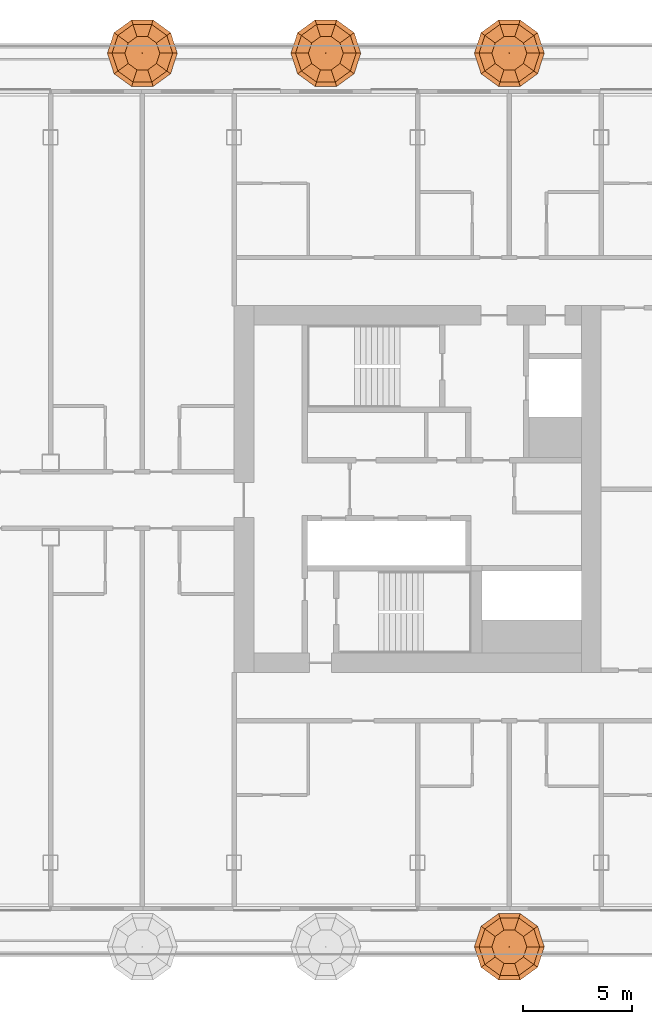
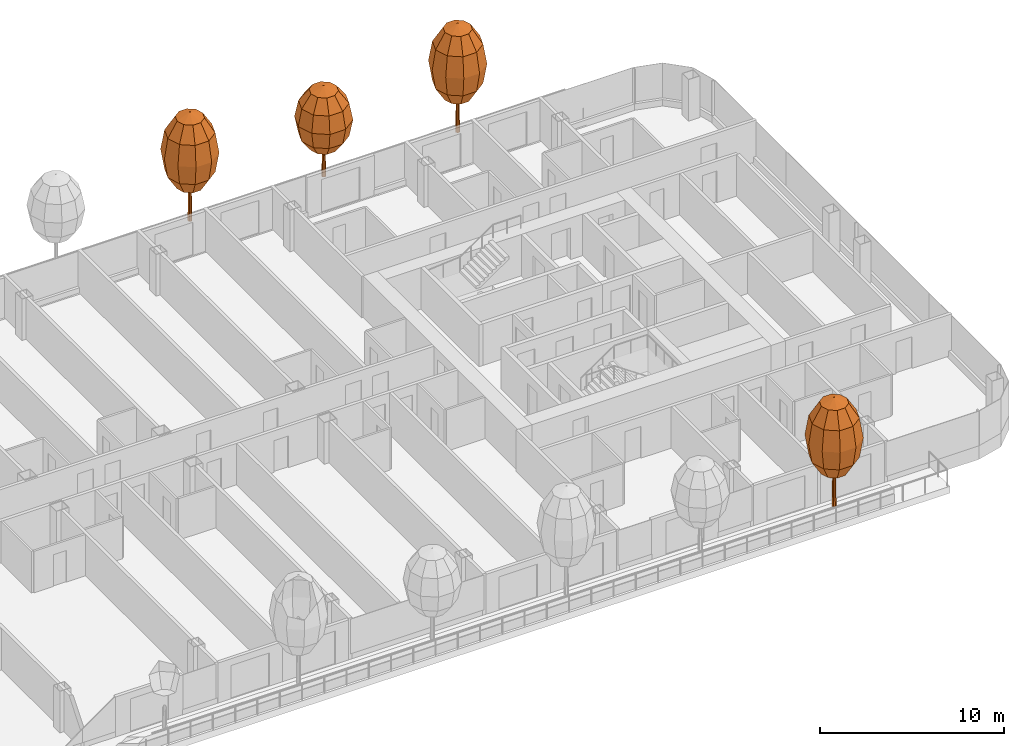
# One storey, part 30 of 30: 4 geographic elements.
"""IFC4 building model written with IfcOpenShell, lengths in metres."""

import ifcopenshell
import ifcopenshell.guid

model = None  # the IFC model being written
_history = None  # IfcOwnerHistory: only IFC2X3 demands one
_inside = {}  # id of a spatial element -> (the spatial element, [elements in it])
_under = {}  # id of a project, library or spatial element -> (it, [spatial elements below it])
_declared = {}  # id of a project -> (the project, [libraries it declares])
_typed = {}  # id of a type object -> (the type object, [elements of that type])
_made_of = {}  # id of a material, layer set ... -> (it, [elements and type objects made of it])


def new_model(schema):
    """Start an empty IFC model of exactly this schema.

    Asked for "IFC4X3", IfcOpenShell would pick the latest addendum, in which some entities
    have other attributes; the version numbers below select the first issue.
    IFC2X3 requires an IfcOwnerHistory on every rooted entity: one is made here for all.
    """
    global model, _history
    if schema == "IFC4X3":
        model = ifcopenshell.file(schema_version=(4, 3, 0, 0))
    else:
        model = ifcopenshell.file(schema=schema)
    _inside.clear()
    _under.clear()
    _declared.clear()
    _typed.clear()
    _made_of.clear()
    _history = None
    if model.schema == "IFC2X3":
        org = make("IfcOrganization", Name="unknown")
        user = make(
            "IfcPersonAndOrganization",
            ThePerson=make("IfcPerson", FamilyName="unknown"),
            TheOrganization=org,
        )
        app = make(
            "IfcApplication",
            ApplicationDeveloper=org,
            Version="unknown",
            ApplicationFullName="unknown",
            ApplicationIdentifier="unknown",
        )
        _history = make(
            "IfcOwnerHistory",
            OwningUser=user,
            OwningApplication=app,
            ChangeAction="ADDED",
            CreationDate=0,
        )
    return model


def make(cls, **values):
    """One entity of the class cls with the attributes given. An attribute that is None is left unset."""
    return model.create_entity(
        cls, **{name: value for name, value in values.items() if value is not None}
    )


def rooted(cls, **values):
    """An entity with a GlobalId (a new one), such as an element, a storey or a relation."""
    return make(cls, GlobalId=ifcopenshell.guid.new(), OwnerHistory=_history, **values)


def si_unit(unit_type, name, prefix=None):
    """IfcSIUnit, for example si_unit("LENGTHUNIT", "METRE", prefix="MILLI")."""
    return make("IfcSIUnit", UnitType=unit_type, Prefix=prefix, Name=name)


def assignment(units):
    """IfcUnitAssignment: the units of a project."""
    return None if units is None else make("IfcUnitAssignment", Units=units)


def point(xyz):
    """IfcCartesianPoint."""
    return None if xyz is None else make("IfcCartesianPoint", Coordinates=xyz)


def direction(xyz):
    """IfcDirection."""
    return None if xyz is None else make("IfcDirection", DirectionRatios=xyz)


def frame(location, z_axis=None, x_axis=None):
    """IfcAxis2Placement3D, a coordinate frame: its origin and axes. An axis left out is left unset."""
    return make(
        "IfcAxis2Placement3D",
        Location=point(location),
        Axis=direction(z_axis),
        RefDirection=direction(x_axis),
    )


def origin():
    """The frame at (0, 0, 0) with its axes left unset."""
    return frame((0.0, 0.0, 0.0))


def place(relative_to, where):
    """IfcLocalPlacement: puts the frame where relative to a parent placement (None: the world)."""
    return make(
        "IfcLocalPlacement", PlacementRelTo=relative_to, RelativePlacement=where
    )


def context(
    kind, dimensions, precision=None, world=None, true_north=None, identifier=None
):
    """IfcGeometricRepresentationContext, for example the 3D "Model" context."""
    return make(
        "IfcGeometricRepresentationContext",
        ContextIdentifier=identifier,
        ContextType=kind,
        CoordinateSpaceDimension=dimensions,
        Precision=precision,
        WorldCoordinateSystem=world,
        TrueNorth=true_north,
    )


def subcontext(parent, identifier, kind, view, scale=None):
    """IfcGeometricRepresentationSubContext, for example "Body" below "Model"."""
    return make(
        "IfcGeometricRepresentationSubContext",
        ContextIdentifier=identifier,
        ContextType=kind,
        ParentContext=parent,
        TargetScale=scale,
        TargetView=view,
    )


def project(units=None, contexts=None):
    """IfcProject with its units and contexts."""
    return rooted(
        "IfcProject",
        Name="project",
        RepresentationContexts=contexts,
        UnitsInContext=assignment(units),
    )


def spatial(cls, under=None, at=None, **own):
    """A site, building, storey or space (cls), placed at a placement, below another one or the project."""
    s = rooted(cls, ObjectPlacement=at, **own)
    if under is not None:
        _under.setdefault(under.id(), (under, []))[1].append(s)
    return s


def point_list(points):
    """IfcCartesianPointList2D or 3D."""
    cls = (
        "IfcCartesianPointList2D" if len(points[0]) == 2 else "IfcCartesianPointList3D"
    )
    return make(cls, CoordList=points)


def triangles(points, corners, closed=None, point_numbers=None):
    """IfcTriangulatedFaceSet: each triangle names its three corners, points numbered from 1."""
    return make(
        "IfcTriangulatedFaceSet",
        Coordinates=point_list(points),
        Closed=closed,
        CoordIndex=corners,
        PnIndex=point_numbers,
    )


def shape(context_of_items, identifier, shape_type, items):
    """IfcShapeRepresentation: the items that make up one representation, for example the "Body"."""
    return make(
        "IfcShapeRepresentation",
        ContextOfItems=context_of_items,
        RepresentationIdentifier=identifier,
        RepresentationType=shape_type,
        Items=items,
    )


def material(Name=None, Category=None):
    """IfcMaterial."""
    return make("IfcMaterial", Name=Name, Category=Category)


def made_of(thing, what):
    """Note that an element or type object is made of a material, layer set ...; save() writes the relation."""
    if what is not None:
        _made_of.setdefault(what.id(), (what, []))[1].append(thing)
    return thing


def type_object(cls, material=None, **own):
    """A type object (cls), such as IfcWallType, which elements share."""
    return made_of(rooted(cls, **own), material)


def element(
    cls,
    number,
    at=None,
    inside=None,
    cuts=None,
    type_object=None,
    material=None,
    context=None,
    identifier="Body",
    shape_type=None,
    held_by="IfcProductDefinitionShape",
    body=None,
    shapes=None,
    **own,
):
    """One element of the class cls, such as IfcWall. Its Tag is "e" and its number.

    at: its placement. inside: the storey or other place that contains it. cuts: it is an
    opening in that element (IfcRelVoidsElement). A single representation is given by context,
    identifier, shape_type and body (its items); several are given by shapes. held_by: the class
    of the entity that holds the representations. save() writes the other relations.
    """
    e = rooted(cls, Tag="e%d" % number, ObjectPlacement=at, **own)
    if body is not None:
        shapes = [shape(context, identifier, shape_type, body)]
    if shapes is not None:
        e.Representation = make(held_by, Representations=shapes)
    if inside is not None:
        _inside.setdefault(inside.id(), (inside, []))[1].append(e)
    if cuts is not None:
        rooted(
            "IfcRelVoidsElement", RelatingBuildingElement=cuts, RelatedOpeningElement=e
        )
    if type_object is not None:
        _typed.setdefault(type_object.id(), (type_object, []))[1].append(e)
    return made_of(e, material)


def aggregate(whole, parts):
    """IfcRelAggregates: a whole, such as a stair, and the parts it consists of."""
    return rooted("IfcRelAggregates", RelatingObject=whole, RelatedObjects=parts)


def save(model, path):
    """Write the relations noted so far, then the file.

    IfcRelAggregates (storeys below a building ...), IfcRelContainedInSpatialStructure (elements
    in a storey), IfcRelDefinesByType, IfcRelAssociatesMaterial and IfcRelDeclares: one each for
    every whole, place, type object, material and project.
    """
    for whole, parts in _under.values():
        aggregate(whole, parts)
    for where, things in _inside.values():
        rooted(
            "IfcRelContainedInSpatialStructure",
            RelatedElements=things,
            RelatingStructure=where,
        )
    for kind, things in _typed.values():
        rooted("IfcRelDefinesByType", RelatedObjects=things, RelatingType=kind)
    for what, things in _made_of.values():
        rooted("IfcRelAssociatesMaterial", RelatedObjects=things, RelatingMaterial=what)
    for by, libraries in _declared.values():
        rooted("IfcRelDeclares", RelatingContext=by, RelatedDefinitions=libraries)
    model.write(path)


model = new_model("IFC4")

# Units and contexts
model_context = context("Model", 3, precision=1e-05, world=origin(), true_north=direction((0.0, 1.0)))
body_context = subcontext(model_context, "Body", "Model", "MODEL_VIEW")
ifc_project = project(units=[si_unit("LENGTHUNIT", "METRE"), si_unit("AREAUNIT", "SQUARE_METRE"), si_unit("VOLUMEUNIT", "CUBIC_METRE"), si_unit("PLANEANGLEUNIT", "RADIAN"), si_unit("MASSUNIT", "GRAM", prefix="KILO")], contexts=[model_context])

# Site, building, storey
site_placement = place(None, origin())
site = spatial("IfcSite", under=ifc_project, at=site_placement, CompositionType="ELEMENT")
building_placement = place(site_placement, origin())
building = spatial("IfcBuilding", under=site, at=building_placement, Name="Hakoniwa Tower and Hamabe Station Hall", CompositionType="ELEMENT")
storey_placement = place(building_placement, frame((0.0, 0.0, 137.39990234375)))
storey = spatial("IfcBuildingStorey", under=building, at=storey_placement, Name="L38", CompositionType="ELEMENT", Elevation=137.39990234375)

# Geographic elements
ifc_material_1 = material(Name="Tree foliage")
geographic_element_type_1 = type_object("IfcGeographicElementType", Name="Japanese maple 7.2 m", PredefinedType="USERDEFINED", material=ifc_material_1)
geographic_element_1_placement = place(storey_placement, frame((12.60009765625, 19.949951171875, 0.900146484375)))
element("IfcGeographicElement", 1, at=geographic_element_1_placement, inside=storey, type_object=geographic_element_type_1, Name="Japanese maple 7-2 m", ObjectType="TREE", PredefinedType="USERDEFINED", context=body_context, shape_type="Tessellation", body=[
    triangles([(0.125, 0.0, 0.0), (0.08837890625, 0.08837890625, 0.0), (0.0, 0.125, 0.0), (-0.08837890625, 0.08837890625, 0.0), (-0.125, 0.0, 0.0), (-0.08837890625, -0.08837890625, 0.0), (0.0, -0.125, 0.0), (0.08837890625, -0.08837890625, 0.0), (0.074951171875, 0.0, 4.348876953125), (0.052978515625, 0.052978515625, 4.348876953125), (0.0, 0.074951171875, 4.348876953125), (-0.052978515625, 0.052978515625, 4.348876953125), (-0.074951171875, 0.0, 4.348876953125), (-0.052978515625, -0.052978515625, 4.348876953125), (0.0, -0.074951171875, 4.348876953125), (0.052978515625, -0.052978515625, 4.348876953125), (0.0, 0.0, 0.0), (0.0, 0.0, 4.348876953125)], [[1, 2, 10], [1, 10, 9], [17, 2, 1], [18, 9, 10], [2, 3, 11], [2, 11, 10], [17, 3, 2], [18, 10, 11], [3, 4, 12], [3, 12, 11], [17, 4, 3], [18, 11, 12], [4, 5, 13], [4, 13, 12], [17, 5, 4], [18, 12, 13], [5, 6, 14], [5, 14, 13], [17, 6, 5], [18, 13, 14], [6, 7, 15], [6, 15, 14], [17, 7, 6], [18, 14, 15], [7, 8, 16], [7, 16, 15], [17, 8, 7], [18, 15, 16], [8, 1, 9], [8, 9, 16], [17, 1, 8], [18, 16, 9]], closed=True),
    triangles([(0.0, 0.0, 2.015869140625), (0.800048828125, 0.0, 2.36328125), (0.647216796875, 0.47021484375, 2.36328125), (0.247314453125, 0.7607421875, 2.36328125), (-0.247314453125, 0.7607421875, 2.36328125), (-0.647216796875, 0.47021484375, 2.36328125), (-0.800048828125, 0.0, 2.36328125), (-0.647216796875, -0.47021484375, 2.36328125), (-0.247314453125, -0.7607421875, 2.36328125), (0.247314453125, -0.7607421875, 2.36328125), (0.647216796875, -0.47021484375, 2.36328125), (1.385498046875, 0.0, 3.31201171875), (1.12109375, 0.814453125, 3.31201171875), (0.42822265625, 1.31787109375, 3.31201171875), (-0.42822265625, 1.31787109375, 3.31201171875), (-1.12109375, 0.814453125, 3.31201171875), (-1.385498046875, 0.0, 3.31201171875), (-1.12109375, -0.814453125, 3.31201171875), (-0.42822265625, -1.31787109375, 3.31201171875), (0.42822265625, -1.31787109375, 3.31201171875), (1.12109375, -0.814453125, 3.31201171875), (1.60009765625, 0.0, 4.60791015625), (1.29443359375, 0.9404296875, 4.60791015625), (0.494384765625, 1.521728515625, 4.60791015625), (-0.494384765625, 1.521728515625, 4.60791015625), (-1.29443359375, 0.9404296875, 4.60791015625), (-1.60009765625, 0.0, 4.60791015625), (-1.29443359375, -0.9404296875, 4.60791015625), (-0.494384765625, -1.521728515625, 4.60791015625), (0.494384765625, -1.521728515625, 4.60791015625), (1.29443359375, -0.9404296875, 4.60791015625), (1.385498046875, 0.0, 5.904052734375), (1.12109375, 0.814453125, 5.904052734375), (0.42822265625, 1.31787109375, 5.904052734375), (-0.42822265625, 1.31787109375, 5.904052734375), (-1.12109375, 0.814453125, 5.904052734375), (-1.385498046875, 0.0, 5.904052734375), (-1.12109375, -0.814453125, 5.904052734375), (-0.42822265625, -1.31787109375, 5.904052734375), (0.42822265625, -1.31787109375, 5.904052734375), (1.12109375, -0.814453125, 5.904052734375), (0.800048828125, 0.0, 6.852783203125), (0.647216796875, 0.47021484375, 6.852783203125), (0.247314453125, 0.7607421875, 6.852783203125), (-0.247314453125, 0.7607421875, 6.852783203125), (-0.647216796875, 0.47021484375, 6.852783203125), (-0.800048828125, 0.0, 6.852783203125), (-0.647216796875, -0.47021484375, 6.852783203125), (-0.247314453125, -0.7607421875, 6.852783203125), (0.247314453125, -0.7607421875, 6.852783203125), (0.647216796875, -0.47021484375, 6.852783203125), (0.0, 0.0, 7.199951171875)], [[1, 3, 2], [1, 4, 3], [1, 5, 4], [1, 6, 5], [1, 7, 6], [1, 8, 7], [1, 9, 8], [1, 10, 9], [1, 11, 10], [1, 2, 11], [2, 3, 13], [2, 13, 12], [3, 4, 14], [3, 14, 13], [4, 5, 15], [4, 15, 14], [5, 6, 16], [5, 16, 15], [6, 7, 17], [6, 17, 16], [7, 8, 18], [7, 18, 17], [8, 9, 19], [8, 19, 18], [9, 10, 20], [9, 20, 19], [10, 11, 21], [10, 21, 20], [11, 2, 12], [11, 12, 21], [12, 13, 23], [12, 23, 22], [13, 14, 24], [13, 24, 23], [14, 15, 25], [14, 25, 24], [15, 16, 26], [15, 26, 25], [16, 17, 27], [16, 27, 26], [17, 18, 28], [17, 28, 27], [18, 19, 29], [18, 29, 28], [19, 20, 30], [19, 30, 29], [20, 21, 31], [20, 31, 30], [21, 12, 22], [21, 22, 31], [22, 23, 33], [22, 33, 32], [23, 24, 34], [23, 34, 33], [24, 25, 35], [24, 35, 34], [25, 26, 36], [25, 36, 35], [26, 27, 37], [26, 37, 36], [27, 28, 38], [27, 38, 37], [28, 29, 39], [28, 39, 38], [29, 30, 40], [29, 40, 39], [30, 31, 41], [30, 41, 40], [31, 22, 32], [31, 32, 41], [32, 33, 43], [32, 43, 42], [33, 34, 44], [33, 44, 43], [34, 35, 45], [34, 45, 44], [35, 36, 46], [35, 46, 45], [36, 37, 47], [36, 47, 46], [37, 38, 48], [37, 48, 47], [38, 39, 49], [38, 49, 48], [39, 40, 50], [39, 50, 49], [40, 41, 51], [40, 51, 50], [41, 32, 42], [41, 42, 51], [52, 42, 43], [52, 43, 44], [52, 44, 45], [52, 45, 46], [52, 46, 47], [52, 47, 48], [52, 48, 49], [52, 49, 50], [52, 50, 51], [52, 51, 42]], closed=True),
])
geographic_element_2_placement = place(storey_placement, frame((29.39990234375, 19.949951171875, 0.900146484375)))
element("IfcGeographicElement", 2, at=geographic_element_2_placement, inside=storey, type_object=geographic_element_type_1, Name="Japanese maple 7-2 m", ObjectType="TREE", PredefinedType="USERDEFINED", context=body_context, shape_type="Tessellation", body=[
    triangles([(0.125, 0.0, 0.0), (0.08837890625, 0.08837890625, 0.0), (0.0, 0.125, 0.0), (-0.08837890625, 0.08837890625, 0.0), (-0.125, 0.0, 0.0), (-0.08837890625, -0.08837890625, 0.0), (0.0, -0.125, 0.0), (0.08837890625, -0.08837890625, 0.0), (0.074951171875, 0.0, 4.348876953125), (0.052978515625, 0.052978515625, 4.348876953125), (0.0, 0.074951171875, 4.348876953125), (-0.052978515625, 0.052978515625, 4.348876953125), (-0.074951171875, 0.0, 4.348876953125), (-0.052978515625, -0.052978515625, 4.348876953125), (0.0, -0.074951171875, 4.348876953125), (0.052978515625, -0.052978515625, 4.348876953125), (0.0, 0.0, 0.0), (0.0, 0.0, 4.348876953125)], [[1, 2, 10], [1, 10, 9], [17, 2, 1], [18, 9, 10], [2, 3, 11], [2, 11, 10], [17, 3, 2], [18, 10, 11], [3, 4, 12], [3, 12, 11], [17, 4, 3], [18, 11, 12], [4, 5, 13], [4, 13, 12], [17, 5, 4], [18, 12, 13], [5, 6, 14], [5, 14, 13], [17, 6, 5], [18, 13, 14], [6, 7, 15], [6, 15, 14], [17, 7, 6], [18, 14, 15], [7, 8, 16], [7, 16, 15], [17, 8, 7], [18, 15, 16], [8, 1, 9], [8, 9, 16], [17, 1, 8], [18, 16, 9]], closed=True),
    triangles([(0.0, 0.0, 2.015869140625), (0.800048828125, 0.0, 2.36328125), (0.647216796875, 0.47021484375, 2.36328125), (0.247314453125, 0.7607421875, 2.36328125), (-0.247314453125, 0.7607421875, 2.36328125), (-0.647216796875, 0.47021484375, 2.36328125), (-0.800048828125, 0.0, 2.36328125), (-0.647216796875, -0.47021484375, 2.36328125), (-0.247314453125, -0.7607421875, 2.36328125), (0.247314453125, -0.7607421875, 2.36328125), (0.647216796875, -0.47021484375, 2.36328125), (1.385498046875, 0.0, 3.31201171875), (1.12109375, 0.814453125, 3.31201171875), (0.42822265625, 1.31787109375, 3.31201171875), (-0.42822265625, 1.31787109375, 3.31201171875), (-1.12109375, 0.814453125, 3.31201171875), (-1.385498046875, 0.0, 3.31201171875), (-1.12109375, -0.814453125, 3.31201171875), (-0.42822265625, -1.31787109375, 3.31201171875), (0.42822265625, -1.31787109375, 3.31201171875), (1.12109375, -0.814453125, 3.31201171875), (1.60009765625, 0.0, 4.60791015625), (1.29443359375, 0.9404296875, 4.60791015625), (0.494384765625, 1.521728515625, 4.60791015625), (-0.494384765625, 1.521728515625, 4.60791015625), (-1.29443359375, 0.9404296875, 4.60791015625), (-1.60009765625, 0.0, 4.60791015625), (-1.29443359375, -0.9404296875, 4.60791015625), (-0.494384765625, -1.521728515625, 4.60791015625), (0.494384765625, -1.521728515625, 4.60791015625), (1.29443359375, -0.9404296875, 4.60791015625), (1.385498046875, 0.0, 5.904052734375), (1.12109375, 0.814453125, 5.904052734375), (0.42822265625, 1.31787109375, 5.904052734375), (-0.42822265625, 1.31787109375, 5.904052734375), (-1.12109375, 0.814453125, 5.904052734375), (-1.385498046875, 0.0, 5.904052734375), (-1.12109375, -0.814453125, 5.904052734375), (-0.42822265625, -1.31787109375, 5.904052734375), (0.42822265625, -1.31787109375, 5.904052734375), (1.12109375, -0.814453125, 5.904052734375), (0.800048828125, 0.0, 6.852783203125), (0.647216796875, 0.47021484375, 6.852783203125), (0.247314453125, 0.7607421875, 6.852783203125), (-0.247314453125, 0.7607421875, 6.852783203125), (-0.647216796875, 0.47021484375, 6.852783203125), (-0.800048828125, 0.0, 6.852783203125), (-0.647216796875, -0.47021484375, 6.852783203125), (-0.247314453125, -0.7607421875, 6.852783203125), (0.247314453125, -0.7607421875, 6.852783203125), (0.647216796875, -0.47021484375, 6.852783203125), (0.0, 0.0, 7.199951171875)], [[1, 3, 2], [1, 4, 3], [1, 5, 4], [1, 6, 5], [1, 7, 6], [1, 8, 7], [1, 9, 8], [1, 10, 9], [1, 11, 10], [1, 2, 11], [2, 3, 13], [2, 13, 12], [3, 4, 14], [3, 14, 13], [4, 5, 15], [4, 15, 14], [5, 6, 16], [5, 16, 15], [6, 7, 17], [6, 17, 16], [7, 8, 18], [7, 18, 17], [8, 9, 19], [8, 19, 18], [9, 10, 20], [9, 20, 19], [10, 11, 21], [10, 21, 20], [11, 2, 12], [11, 12, 21], [12, 13, 23], [12, 23, 22], [13, 14, 24], [13, 24, 23], [14, 15, 25], [14, 25, 24], [15, 16, 26], [15, 26, 25], [16, 17, 27], [16, 27, 26], [17, 18, 28], [17, 28, 27], [18, 19, 29], [18, 29, 28], [19, 20, 30], [19, 30, 29], [20, 21, 31], [20, 31, 30], [21, 12, 22], [21, 22, 31], [22, 23, 33], [22, 33, 32], [23, 24, 34], [23, 34, 33], [24, 25, 35], [24, 35, 34], [25, 26, 36], [25, 36, 35], [26, 27, 37], [26, 37, 36], [27, 28, 38], [27, 38, 37], [28, 29, 39], [28, 39, 38], [29, 30, 40], [29, 40, 39], [30, 31, 41], [30, 41, 40], [31, 22, 32], [31, 32, 41], [32, 33, 43], [32, 43, 42], [33, 34, 44], [33, 44, 43], [34, 35, 45], [34, 45, 44], [35, 36, 46], [35, 46, 45], [36, 37, 47], [36, 47, 46], [37, 38, 48], [37, 48, 47], [38, 39, 49], [38, 49, 48], [39, 40, 50], [39, 50, 49], [40, 41, 51], [40, 51, 50], [41, 32, 42], [41, 42, 51], [52, 42, 43], [52, 43, 44], [52, 44, 45], [52, 45, 46], [52, 46, 47], [52, 47, 48], [52, 48, 49], [52, 49, 50], [52, 50, 51], [52, 51, 42]], closed=True),
])
geographic_element_3_placement = place(storey_placement, frame((29.39990234375, -20.949951171875, 0.900146484375)))
element("IfcGeographicElement", 3, at=geographic_element_3_placement, inside=storey, type_object=geographic_element_type_1, Name="Japanese maple 7-2 m", ObjectType="TREE", PredefinedType="USERDEFINED", context=body_context, shape_type="Tessellation", body=[
    triangles([(0.125, 0.0, 0.0), (0.08837890625, 0.08837890625, 0.0), (0.0, 0.125, 0.0), (-0.08837890625, 0.08837890625, 0.0), (-0.125, 0.0, 0.0), (-0.08837890625, -0.08837890625, 0.0), (0.0, -0.125, 0.0), (0.08837890625, -0.08837890625, 0.0), (0.074951171875, 0.0, 4.348876953125), (0.052978515625, 0.052978515625, 4.348876953125), (0.0, 0.074951171875, 4.348876953125), (-0.052978515625, 0.052978515625, 4.348876953125), (-0.074951171875, 0.0, 4.348876953125), (-0.052978515625, -0.052978515625, 4.348876953125), (0.0, -0.074951171875, 4.348876953125), (0.052978515625, -0.052978515625, 4.348876953125), (0.0, 0.0, 0.0), (0.0, 0.0, 4.348876953125)], [[1, 2, 10], [1, 10, 9], [17, 2, 1], [18, 9, 10], [2, 3, 11], [2, 11, 10], [17, 3, 2], [18, 10, 11], [3, 4, 12], [3, 12, 11], [17, 4, 3], [18, 11, 12], [4, 5, 13], [4, 13, 12], [17, 5, 4], [18, 12, 13], [5, 6, 14], [5, 14, 13], [17, 6, 5], [18, 13, 14], [6, 7, 15], [6, 15, 14], [17, 7, 6], [18, 14, 15], [7, 8, 16], [7, 16, 15], [17, 8, 7], [18, 15, 16], [8, 1, 9], [8, 9, 16], [17, 1, 8], [18, 16, 9]], closed=True),
    triangles([(0.0, 0.0, 2.015869140625), (0.800048828125, 0.0, 2.36328125), (0.647216796875, 0.47021484375, 2.36328125), (0.247314453125, 0.7607421875, 2.36328125), (-0.247314453125, 0.7607421875, 2.36328125), (-0.647216796875, 0.47021484375, 2.36328125), (-0.800048828125, 0.0, 2.36328125), (-0.647216796875, -0.47021484375, 2.36328125), (-0.247314453125, -0.7607421875, 2.36328125), (0.247314453125, -0.7607421875, 2.36328125), (0.647216796875, -0.47021484375, 2.36328125), (1.385498046875, 0.0, 3.31201171875), (1.12109375, 0.814453125, 3.31201171875), (0.42822265625, 1.31787109375, 3.31201171875), (-0.42822265625, 1.31787109375, 3.31201171875), (-1.12109375, 0.814453125, 3.31201171875), (-1.385498046875, 0.0, 3.31201171875), (-1.12109375, -0.814453125, 3.31201171875), (-0.42822265625, -1.31787109375, 3.31201171875), (0.42822265625, -1.31787109375, 3.31201171875), (1.12109375, -0.814453125, 3.31201171875), (1.60009765625, 0.0, 4.60791015625), (1.29443359375, 0.9404296875, 4.60791015625), (0.494384765625, 1.521728515625, 4.60791015625), (-0.494384765625, 1.521728515625, 4.60791015625), (-1.29443359375, 0.9404296875, 4.60791015625), (-1.60009765625, 0.0, 4.60791015625), (-1.29443359375, -0.9404296875, 4.60791015625), (-0.494384765625, -1.521728515625, 4.60791015625), (0.494384765625, -1.521728515625, 4.60791015625), (1.29443359375, -0.9404296875, 4.60791015625), (1.385498046875, 0.0, 5.904052734375), (1.12109375, 0.814453125, 5.904052734375), (0.42822265625, 1.31787109375, 5.904052734375), (-0.42822265625, 1.31787109375, 5.904052734375), (-1.12109375, 0.814453125, 5.904052734375), (-1.385498046875, 0.0, 5.904052734375), (-1.12109375, -0.814453125, 5.904052734375), (-0.42822265625, -1.31787109375, 5.904052734375), (0.42822265625, -1.31787109375, 5.904052734375), (1.12109375, -0.814453125, 5.904052734375), (0.800048828125, 0.0, 6.852783203125), (0.647216796875, 0.47021484375, 6.852783203125), (0.247314453125, 0.7607421875, 6.852783203125), (-0.247314453125, 0.7607421875, 6.852783203125), (-0.647216796875, 0.47021484375, 6.852783203125), (-0.800048828125, 0.0, 6.852783203125), (-0.647216796875, -0.47021484375, 6.852783203125), (-0.247314453125, -0.7607421875, 6.852783203125), (0.247314453125, -0.7607421875, 6.852783203125), (0.647216796875, -0.47021484375, 6.852783203125), (0.0, 0.0, 7.199951171875)], [[1, 3, 2], [1, 4, 3], [1, 5, 4], [1, 6, 5], [1, 7, 6], [1, 8, 7], [1, 9, 8], [1, 10, 9], [1, 11, 10], [1, 2, 11], [2, 3, 13], [2, 13, 12], [3, 4, 14], [3, 14, 13], [4, 5, 15], [4, 15, 14], [5, 6, 16], [5, 16, 15], [6, 7, 17], [6, 17, 16], [7, 8, 18], [7, 18, 17], [8, 9, 19], [8, 19, 18], [9, 10, 20], [9, 20, 19], [10, 11, 21], [10, 21, 20], [11, 2, 12], [11, 12, 21], [12, 13, 23], [12, 23, 22], [13, 14, 24], [13, 24, 23], [14, 15, 25], [14, 25, 24], [15, 16, 26], [15, 26, 25], [16, 17, 27], [16, 27, 26], [17, 18, 28], [17, 28, 27], [18, 19, 29], [18, 29, 28], [19, 20, 30], [19, 30, 29], [20, 21, 31], [20, 31, 30], [21, 12, 22], [21, 22, 31], [22, 23, 33], [22, 33, 32], [23, 24, 34], [23, 34, 33], [24, 25, 35], [24, 35, 34], [25, 26, 36], [25, 36, 35], [26, 27, 37], [26, 37, 36], [27, 28, 38], [27, 38, 37], [28, 29, 39], [28, 39, 38], [29, 30, 40], [29, 40, 39], [30, 31, 41], [30, 41, 40], [31, 22, 32], [31, 32, 41], [32, 33, 43], [32, 43, 42], [33, 34, 44], [33, 44, 43], [34, 35, 45], [34, 45, 44], [35, 36, 46], [35, 46, 45], [36, 37, 47], [36, 47, 46], [37, 38, 48], [37, 48, 47], [38, 39, 49], [38, 49, 48], [39, 40, 50], [39, 50, 49], [40, 41, 51], [40, 51, 50], [41, 32, 42], [41, 42, 51], [52, 42, 43], [52, 43, 44], [52, 44, 45], [52, 45, 46], [52, 46, 47], [52, 47, 48], [52, 48, 49], [52, 49, 50], [52, 50, 51], [52, 51, 42]], closed=True),
])
ifc_material_2 = material(Name="Tree foliage")
geographic_element_type_2 = type_object("IfcGeographicElementType", Name="Osmanthus 6.0 m", PredefinedType="USERDEFINED", material=ifc_material_2)
geographic_element_4_placement = place(storey_placement, frame((21.0, 19.949951171875, 0.900146484375)))
element("IfcGeographicElement", 4, at=geographic_element_4_placement, inside=storey, type_object=geographic_element_type_2, Name="Osmanthus 6-0 m", ObjectType="TREE", PredefinedType="USERDEFINED", context=body_context, shape_type="Tessellation", body=[
    triangles([(0.125, 0.0, 0.0), (0.08837890625, 0.08837890625, 0.0), (0.0, 0.125, 0.0), (-0.08837890625, 0.08837890625, 0.0), (-0.125, 0.0, 0.0), (-0.08837890625, -0.08837890625, 0.0), (0.0, -0.125, 0.0), (0.08837890625, -0.08837890625, 0.0), (0.074951171875, 0.0, 3.6240234375), (0.052978515625, 0.052978515625, 3.6240234375), (0.0, 0.074951171875, 3.6240234375), (-0.052978515625, 0.052978515625, 3.6240234375), (-0.074951171875, 0.0, 3.6240234375), (-0.052978515625, -0.052978515625, 3.6240234375), (0.0, -0.074951171875, 3.6240234375), (0.052978515625, -0.052978515625, 3.6240234375), (0.0, 0.0, 0.0), (0.0, 0.0, 3.6240234375)], [[1, 2, 10], [1, 10, 9], [17, 2, 1], [18, 9, 10], [2, 3, 11], [2, 11, 10], [17, 3, 2], [18, 10, 11], [3, 4, 12], [3, 12, 11], [17, 4, 3], [18, 11, 12], [4, 5, 13], [4, 13, 12], [17, 5, 4], [18, 12, 13], [5, 6, 14], [5, 14, 13], [17, 6, 5], [18, 13, 14], [6, 7, 15], [6, 15, 14], [17, 7, 6], [18, 14, 15], [7, 8, 16], [7, 16, 15], [17, 8, 7], [18, 15, 16], [8, 1, 9], [8, 9, 16], [17, 1, 8], [18, 16, 9]], closed=True),
    triangles([(0.0, 0.0, 1.679931640625), (0.800048828125, 0.0, 1.969482421875), (0.647216796875, 0.47021484375, 1.969482421875), (0.247314453125, 0.7607421875, 1.969482421875), (-0.247314453125, 0.7607421875, 1.969482421875), (-0.647216796875, 0.47021484375, 1.969482421875), (-0.800048828125, 0.0, 1.969482421875), (-0.647216796875, -0.47021484375, 1.969482421875), (-0.247314453125, -0.7607421875, 1.969482421875), (0.247314453125, -0.7607421875, 1.969482421875), (0.647216796875, -0.47021484375, 1.969482421875), (1.385498046875, 0.0, 2.760009765625), (1.12109375, 0.814453125, 2.760009765625), (0.42822265625, 1.31787109375, 2.760009765625), (-0.42822265625, 1.31787109375, 2.760009765625), (-1.12109375, 0.814453125, 2.760009765625), (-1.385498046875, 0.0, 2.760009765625), (-1.12109375, -0.814453125, 2.760009765625), (-0.42822265625, -1.31787109375, 2.760009765625), (0.42822265625, -1.31787109375, 2.760009765625), (1.12109375, -0.814453125, 2.760009765625), (1.60009765625, 0.0, 3.840087890625), (1.29443359375, 0.9404296875, 3.840087890625), (0.494384765625, 1.521728515625, 3.840087890625), (-0.494384765625, 1.521728515625, 3.840087890625), (-1.29443359375, 0.9404296875, 3.840087890625), (-1.60009765625, 0.0, 3.840087890625), (-1.29443359375, -0.9404296875, 3.840087890625), (-0.494384765625, -1.521728515625, 3.840087890625), (0.494384765625, -1.521728515625, 3.840087890625), (1.29443359375, -0.9404296875, 3.840087890625), (1.385498046875, 0.0, 4.919921875), (1.12109375, 0.814453125, 4.919921875), (0.42822265625, 1.31787109375, 4.919921875), (-0.42822265625, 1.31787109375, 4.919921875), (-1.12109375, 0.814453125, 4.919921875), (-1.385498046875, 0.0, 4.919921875), (-1.12109375, -0.814453125, 4.919921875), (-0.42822265625, -1.31787109375, 4.919921875), (0.42822265625, -1.31787109375, 4.919921875), (1.12109375, -0.814453125, 4.919921875), (0.800048828125, 0.0, 5.710693359375), (0.647216796875, 0.47021484375, 5.710693359375), (0.247314453125, 0.7607421875, 5.710693359375), (-0.247314453125, 0.7607421875, 5.710693359375), (-0.647216796875, 0.47021484375, 5.710693359375), (-0.800048828125, 0.0, 5.710693359375), (-0.647216796875, -0.47021484375, 5.710693359375), (-0.247314453125, -0.7607421875, 5.710693359375), (0.247314453125, -0.7607421875, 5.710693359375), (0.647216796875, -0.47021484375, 5.710693359375), (0.0, 0.0, 6.0)], [[1, 3, 2], [1, 4, 3], [1, 5, 4], [1, 6, 5], [1, 7, 6], [1, 8, 7], [1, 9, 8], [1, 10, 9], [1, 11, 10], [1, 2, 11], [2, 3, 13], [2, 13, 12], [3, 4, 14], [3, 14, 13], [4, 5, 15], [4, 15, 14], [5, 6, 16], [5, 16, 15], [6, 7, 17], [6, 17, 16], [7, 8, 18], [7, 18, 17], [8, 9, 19], [8, 19, 18], [9, 10, 20], [9, 20, 19], [10, 11, 21], [10, 21, 20], [11, 2, 12], [11, 12, 21], [12, 13, 23], [12, 23, 22], [13, 14, 24], [13, 24, 23], [14, 15, 25], [14, 25, 24], [15, 16, 26], [15, 26, 25], [16, 17, 27], [16, 27, 26], [17, 18, 28], [17, 28, 27], [18, 19, 29], [18, 29, 28], [19, 20, 30], [19, 30, 29], [20, 21, 31], [20, 31, 30], [21, 12, 22], [21, 22, 31], [22, 23, 33], [22, 33, 32], [23, 24, 34], [23, 34, 33], [24, 25, 35], [24, 35, 34], [25, 26, 36], [25, 36, 35], [26, 27, 37], [26, 37, 36], [27, 28, 38], [27, 38, 37], [28, 29, 39], [28, 39, 38], [29, 30, 40], [29, 40, 39], [30, 31, 41], [30, 41, 40], [31, 22, 32], [31, 32, 41], [32, 33, 43], [32, 43, 42], [33, 34, 44], [33, 44, 43], [34, 35, 45], [34, 45, 44], [35, 36, 46], [35, 46, 45], [36, 37, 47], [36, 47, 46], [37, 38, 48], [37, 48, 47], [38, 39, 49], [38, 49, 48], [39, 40, 50], [39, 50, 49], [40, 41, 51], [40, 51, 50], [41, 32, 42], [41, 42, 51], [52, 42, 43], [52, 43, 44], [52, 44, 45], [52, 45, 46], [52, 46, 47], [52, 47, 48], [52, 48, 49], [52, 49, 50], [52, 50, 51], [52, 51, 42]], closed=True),
])

save(model, "model.ifc")
